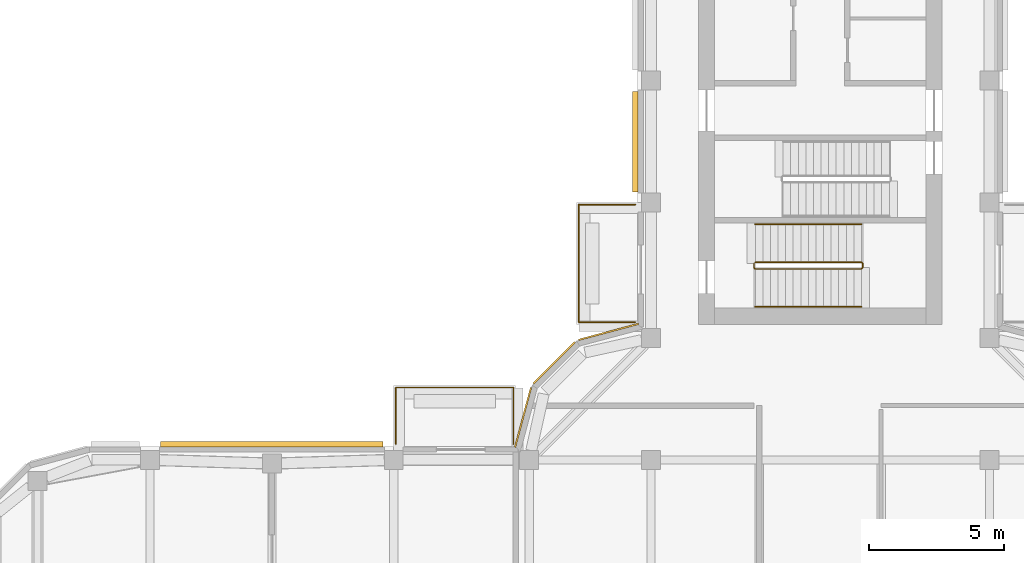
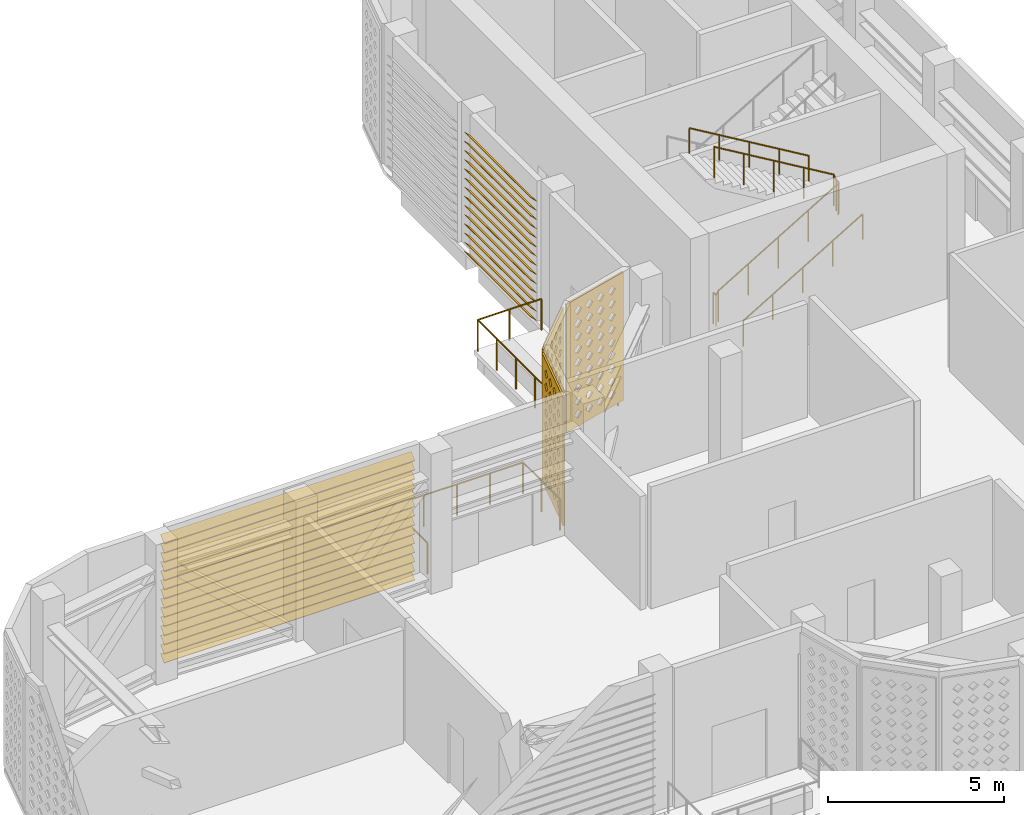
# One storey, part 16 of 20: 5 railings, 3 coverings, 2 shading devices.
"""IFC4 building model written with IfcOpenShell, lengths in metres."""

from ifc_helpers import new_model, si_unit, direction, frame, origin, origin_2d, place, context, subcontext, project, spatial, polyline, circle, outline, extrude, source, transform, mapped, material, layer, layer_set, type_object, element, save


model = new_model("IFC4")

# Units and contexts
model_context = context("Model", 3, precision=1e-05, world=origin(), true_north=direction((0.0, 1.0)))
body_context = subcontext(model_context, "Body", "Model", "MODEL_VIEW")
ifc_project = project(units=[si_unit("LENGTHUNIT", "METRE"), si_unit("AREAUNIT", "SQUARE_METRE"), si_unit("VOLUMEUNIT", "CUBIC_METRE"), si_unit("PLANEANGLEUNIT", "RADIAN"), si_unit("MASSUNIT", "GRAM", prefix="KILO")], contexts=[model_context])

# Site, building, storey
site_placement = place(None, origin())
site = spatial("IfcSite", under=ifc_project, at=site_placement, CompositionType="ELEMENT")
building_placement = place(site_placement, origin())
building = spatial("IfcBuilding", under=site, at=building_placement, Name="Zarbagh Exchange Tower", CompositionType="ELEMENT")
storey_placement = place(building_placement, frame((0.0, 0.0, 244.800048828125)))
storey = spatial("IfcBuildingStorey", under=building, at=storey_placement, Name="L60", CompositionType="ELEMENT", Elevation=244.800048828125)

# Railings
ifc_material_1 = material(Name="Stainless steel", Category="steel")
railing_type_1 = type_object("IfcRailingType", Name="Stair guard 1100 mm", PredefinedType="GUARDRAIL", material=ifc_material_1)
railing_1_placement = place(storey_placement, frame((-2.449951171875, 13.5, 0.0)))
element("IfcRailing", 1, at=railing_1_placement, inside=storey, type_object=railing_type_1, Name="ST2 stair guard 1", PredefinedType="GUARDRAIL", context=body_context, shape_type="SweptSolid", body=[
    extrude(circle(Radius=0.02392578125, at=origin_2d()), frame((0.0, 0.0, 1.076171875), z_axis=(0.0, -1.0, 0.0), x_axis=(1.0, 0.0, 0.0)), (0.0, 0.0, 1.0), 0.14990234375),
    extrude(circle(Radius=0.02392578125, at=origin_2d()), frame((0.0, -0.14990234375, 1.076171875), z_axis=(0.27662974545, -0.27662974545, 0.920299933644), x_axis=(0.707106781187, 0.707106781187, 0.0)), (0.0, 0.0, 1.0), 0.180908203125),
    extrude(circle(Radius=0.02392578125, at=origin_2d()), frame((0.050048828125, -0.199951171875, 1.24267578125), z_axis=(0.859272722373, 0.0, 0.511517730471), x_axis=(0.0, 1.0, 0.0)), (0.0, 0.0, 1.0), 4.56201171875),
    extrude(circle(Radius=0.02392578125, at=origin_2d()), frame((3.969970703125, -0.199951171875, 3.576171875), z_axis=(0.707106781187, 0.707106781187, 0.0), x_axis=(-0.707106781187, 0.707106781187, 0.0)), (0.0, 0.0, 1.0), 0.07080078125),
    extrude(circle(Radius=0.02392578125, at=origin_2d()), frame((4.02001953125, -0.14990234375, 3.576171875), z_axis=(0.0, 1.0, 0.0), x_axis=(-1.0, 0.0, 0.0)), (0.0, 0.0, 1.0), 0.14990234375),
    extrude(circle(Radius=0.02392578125, at=origin_2d()), frame((4.02001953125, 0.0, 3.576171875), z_axis=(-0.27662974545, 0.27662974545, 0.920299933644), x_axis=(-0.707106781187, -0.707106781187, 0.0)), (0.0, 0.0, 1.0), 0.180908203125),
    extrude(circle(Radius=0.02392578125, at=origin_2d()), frame((3.969970703125, 0.050048828125, 3.74267578125), z_axis=(-0.859272722373, 0.0, 0.511517730471), x_axis=(0.0, -1.0, 0.0)), (0.0, 0.0, 1.0), 4.56201171875),
    extrude(circle(Radius=0.02099609375, at=origin_2d()), origin(), (0.0, 0.0, 1.0), 1.052001953125),
    extrude(circle(Radius=0.02099609375, at=origin_2d()), frame((0.0, -0.14990234375, 0.0)), (0.0, 0.0, 1.0), 1.052001953125),
    extrude(circle(Radius=0.02099609375, at=origin_2d()), frame((0.050048828125, -0.199951171875, 0.16650390625)), (0.0, 0.0, 1.0), 1.052001953125),
    extrude(circle(Radius=0.02099609375, at=origin_2d()), frame((1.030029296875, -0.199951171875, 0.75)), (0.0, 0.0, 1.0), 1.052001953125),
    extrude(circle(Radius=0.02099609375, at=origin_2d()), frame((2.010009765625, -0.199951171875, 1.333251953125)), (0.0, 0.0, 1.0), 1.052001953125),
    extrude(circle(Radius=0.02099609375, at=origin_2d()), frame((2.989990234375, -0.199951171875, 1.91650390625)), (0.0, 0.0, 1.0), 1.052001953125),
    extrude(circle(Radius=0.02099609375, at=origin_2d()), frame((3.969970703125, -0.199951171875, 2.5)), (0.0, 0.0, 1.0), 1.052001953125),
    extrude(circle(Radius=0.02099609375, at=origin_2d()), frame((4.02001953125, -0.14990234375, 2.5)), (0.0, 0.0, 1.0), 1.052001953125),
    extrude(circle(Radius=0.02099609375, at=origin_2d()), frame((4.02001953125, 0.0, 2.5)), (0.0, 0.0, 1.0), 1.052001953125),
    extrude(circle(Radius=0.02099609375, at=origin_2d()), frame((3.969970703125, 0.050048828125, 2.66650390625)), (0.0, 0.0, 1.0), 1.052001953125),
    extrude(circle(Radius=0.02099609375, at=origin_2d()), frame((2.989990234375, 0.050048828125, 3.25)), (0.0, 0.0, 1.0), 1.052001953125),
    extrude(circle(Radius=0.02099609375, at=origin_2d()), frame((2.010009765625, 0.050048828125, 3.833251953125)), (0.0, 0.0, 1.0), 1.052001953125),
    extrude(circle(Radius=0.02099609375, at=origin_2d()), frame((1.030029296875, 0.050048828125, 4.41650390625)), (0.0, 0.0, 1.0), 1.052001953125),
    extrude(circle(Radius=0.02099609375, at=origin_2d()), frame((0.050048828125, 0.050048828125, 5.0)), (0.0, 0.0, 1.0), 1.052001953125),
])
railing_type_2 = type_object("IfcRailingType", Name="Stair handrail 900 mm", PredefinedType="HANDRAIL", material=ifc_material_1)
railing_2_placement = place(storey_placement, frame((-2.39990234375, 11.89990234375, 0.16650390625)))
element("IfcRailing", 2, at=railing_2_placement, inside=storey, type_object=railing_type_2, Name="ST2 stair handrail 1", PredefinedType="HANDRAIL", context=body_context, shape_type="SweptSolid", body=[
    extrude(circle(Radius=0.02392578125, at=origin_2d()), frame((0.0, 0.0, 0.8759765625), z_axis=(0.859272722373, 0.0, 0.511517730471), x_axis=(0.0, 1.0, 0.0)), (0.0, 0.0, 1.0), 4.56201171875),
    extrude(circle(Radius=0.02099609375, at=origin_2d()), origin(), (0.0, 0.0, 1.0), 0.851806640625),
    extrude(circle(Radius=0.02099609375, at=origin_2d()), frame((0.97998046875, 0.0, 0.58349609375)), (0.0, 0.0, 1.0), 0.851806640625),
    extrude(circle(Radius=0.02099609375, at=origin_2d()), frame((1.9599609375, 0.0, 1.166748046875)), (0.0, 0.0, 1.0), 0.851806640625),
    extrude(circle(Radius=0.02099609375, at=origin_2d()), frame((2.93994140625, 0.0, 1.75)), (0.0, 0.0, 1.0), 0.851806640625),
    extrude(circle(Radius=0.02099609375, at=origin_2d()), frame((3.919921875, 0.0, 2.33349609375)), (0.0, 0.0, 1.0), 0.851806640625),
])
railing_3_placement = place(storey_placement, frame((1.52001953125, 14.949951171875, 2.66650390625)))
element("IfcRailing", 3, at=railing_3_placement, inside=storey, type_object=railing_type_2, Name="ST2 stair handrail 2", PredefinedType="HANDRAIL", context=body_context, shape_type="SweptSolid", body=[
    extrude(circle(Radius=0.02392578125, at=origin_2d()), frame((0.0, 0.0, 0.8759765625), z_axis=(-0.859272722373, 0.0, 0.511517730471), x_axis=(0.0, -1.0, 0.0)), (0.0, 0.0, 1.0), 4.56201171875),
    extrude(circle(Radius=0.02099609375, at=origin_2d()), origin(), (0.0, 0.0, 1.0), 0.851806640625),
    extrude(circle(Radius=0.02099609375, at=origin_2d()), frame((-0.97998046875, 0.0, 0.58349609375)), (0.0, 0.0, 1.0), 0.851806640625),
    extrude(circle(Radius=0.02099609375, at=origin_2d()), frame((-1.9599609375, 0.0, 1.166748046875)), (0.0, 0.0, 1.0), 0.851806640625),
    extrude(circle(Radius=0.02099609375, at=origin_2d()), frame((-2.93994140625, 0.0, 1.75)), (0.0, 0.0, 1.0), 0.851806640625),
    extrude(circle(Radius=0.02099609375, at=origin_2d()), frame((-3.919921875, 0.0, 2.33349609375)), (0.0, 0.0, 1.0), 0.851806640625),
])
ifc_material_2 = material(Name="Stainless steel and laminated glass", Category="steel")
railing_type_3 = type_object("IfcRailingType", Name="Terrace guard, glass balustrade 1.1 m", PredefinedType="GUARDRAIL", material=ifc_material_2)
railing_4_placement = place(storey_placement, frame((-6.830078125, 11.330078125, 0.0)))
element("IfcRailing", 4, at=railing_4_placement, inside=storey, type_object=railing_type_3, Name="TG01 terrace guard", PredefinedType="GUARDRAIL", context=body_context, shape_type="SweptSolid", body=[
    extrude(circle(Radius=0.02490234375, at=origin_2d()), frame((0.0, 0.0, 1.0751953125), z_axis=(-1.0, 0.0, 0.0), x_axis=(0.0, -1.0, 0.0)), (0.0, 0.0, 1.0), 2.08984375),
    extrude(circle(Radius=0.02490234375, at=origin_2d()), frame((-2.08984375, 0.0, 1.0751953125), z_axis=(0.0, 1.0, 0.0), x_axis=(-1.0, 0.0, 0.0)), (0.0, 0.0, 1.0), 4.33984375),
    extrude(circle(Radius=0.02490234375, at=origin_2d()), frame((-2.08984375, 4.33984375, 1.0751953125), z_axis=(1.0, 0.0, 0.0), x_axis=(0.0, 1.0, 0.0)), (0.0, 0.0, 1.0), 2.08984375),
    extrude(circle(Radius=0.02490234375, at=origin_2d()), origin(), (0.0, 0.0, 1.0), 1.050048828125),
    extrude(circle(Radius=0.02490234375, at=origin_2d()), frame((-1.044921875, 0.0, 0.0)), (0.0, 0.0, 1.0), 1.050048828125),
    extrude(circle(Radius=0.02490234375, at=origin_2d()), frame((-2.08984375, 0.0, 0.0)), (0.0, 0.0, 1.0), 1.050048828125),
    extrude(circle(Radius=0.02490234375, at=origin_2d()), frame((-2.08984375, 1.0849609375, 0.0)), (0.0, 0.0, 1.0), 1.050048828125),
    extrude(circle(Radius=0.02490234375, at=origin_2d()), frame((-2.08984375, 2.169921875, 0.0)), (0.0, 0.0, 1.0), 1.050048828125),
    extrude(circle(Radius=0.02490234375, at=origin_2d()), frame((-2.08984375, 3.2548828125, 0.0)), (0.0, 0.0, 1.0), 1.050048828125),
    extrude(circle(Radius=0.02490234375, at=origin_2d()), frame((-2.08984375, 4.33984375, 0.0)), (0.0, 0.0, 1.0), 1.050048828125),
    extrude(circle(Radius=0.02490234375, at=origin_2d()), frame((-1.044921875, 4.33984375, 0.0)), (0.0, 0.0, 1.0), 1.050048828125),
    extrude(circle(Radius=0.02490234375, at=origin_2d()), frame((0.0, 4.33984375, 0.0)), (0.0, 0.0, 1.0), 1.050048828125),
])
railing_5_placement = place(storey_placement, frame((-15.669921875, 6.830078125, 0.0)))
element("IfcRailing", 5, at=railing_5_placement, inside=storey, type_object=railing_type_3, Name="TG01 terrace guard", PredefinedType="GUARDRAIL", context=body_context, shape_type="SweptSolid", body=[
    extrude(circle(Radius=0.02490234375, at=origin_2d()), frame((0.0, 0.0, 1.0751953125), z_axis=(0.0, 1.0, 0.0), x_axis=(-1.0, 0.0, 0.0)), (0.0, 0.0, 1.0), 2.08984375),
    extrude(circle(Radius=0.02490234375, at=origin_2d()), frame((0.0, 2.08984375, 1.0751953125), z_axis=(1.0, 0.0, 0.0), x_axis=(0.0, 1.0, 0.0)), (0.0, 0.0, 1.0), 4.33984375),
    extrude(circle(Radius=0.02490234375, at=origin_2d()), frame((4.33984375, 2.08984375, 1.0751953125), z_axis=(0.0, -1.0, 0.0), x_axis=(1.0, 0.0, 0.0)), (0.0, 0.0, 1.0), 2.08984375),
    extrude(circle(Radius=0.02490234375, at=origin_2d()), origin(), (0.0, 0.0, 1.0), 1.050048828125),
    extrude(circle(Radius=0.02490234375, at=origin_2d()), frame((0.0, 1.044921875, 0.0)), (0.0, 0.0, 1.0), 1.050048828125),
    extrude(circle(Radius=0.02490234375, at=origin_2d()), frame((0.0, 2.08984375, 0.0)), (0.0, 0.0, 1.0), 1.050048828125),
    extrude(circle(Radius=0.02490234375, at=origin_2d()), frame((1.0849609375, 2.08984375, 0.0)), (0.0, 0.0, 1.0), 1.050048828125),
    extrude(circle(Radius=0.02490234375, at=origin_2d()), frame((2.169921875, 2.08984375, 0.0)), (0.0, 0.0, 1.0), 1.050048828125),
    extrude(circle(Radius=0.02490234375, at=origin_2d()), frame((3.2548828125, 2.08984375, 0.0)), (0.0, 0.0, 1.0), 1.050048828125),
    extrude(circle(Radius=0.02490234375, at=origin_2d()), frame((4.33984375, 2.08984375, 0.0)), (0.0, 0.0, 1.0), 1.050048828125),
    extrude(circle(Radius=0.02490234375, at=origin_2d()), frame((4.33984375, 1.044921875, 0.0)), (0.0, 0.0, 1.0), 1.050048828125),
    extrude(circle(Radius=0.02490234375, at=origin_2d()), frame((4.33984375, 0.0, 0.0)), (0.0, 0.0, 1.0), 1.050048828125),
])

# Covering
ifc_material_3 = material(Name="Glass-fibre reinforced concrete GFRC C50/60", Category="concrete")
ifc_layer = layer(ifc_material_3, 0.06005859375)
ifc_layer_set = layer_set([ifc_layer], Name="SCREEN jali panel, GFRC")
covering_type = type_object("IfcCoveringType", Name="SCREEN jali panel, GFRC", PredefinedType="CLADDING", material=ifc_layer_set)
shared_shape_1 = source(origin(), body_context, "Body", "SweptSolid", [
    extrude(outline(polyline([(0.0, 0.0), (2.1650390625, 0.0), (2.1650390625, 4.449951171875), (0.0, 4.449951171875), (0.0, 0.0)]), holes=[polyline([(0.257568359375, 0.425048828125), (0.407470703125, 0.27490234375), (0.5576171875, 0.425048828125), (0.407470703125, 0.574951171875), (0.257568359375, 0.425048828125)]), polyline([(0.257568359375, 0.875), (0.407470703125, 0.72509765625), (0.5576171875, 0.875), (0.407470703125, 1.02490234375), (0.257568359375, 0.875)]), polyline([(0.257568359375, 1.324951171875), (0.407470703125, 1.175048828125), (0.5576171875, 1.324951171875), (0.407470703125, 1.47509765625), (0.257568359375, 1.324951171875)]), polyline([(0.257568359375, 1.77490234375), (0.407470703125, 1.625), (0.5576171875, 1.77490234375), (0.407470703125, 1.925048828125), (0.257568359375, 1.77490234375)]), polyline([(0.257568359375, 2.22509765625), (0.407470703125, 2.074951171875), (0.5576171875, 2.22509765625), (0.407470703125, 2.375), (0.257568359375, 2.22509765625)]), polyline([(0.257568359375, 2.675048828125), (0.407470703125, 2.52490234375), (0.5576171875, 2.675048828125), (0.407470703125, 2.824951171875), (0.257568359375, 2.675048828125)]), polyline([(0.257568359375, 3.125), (0.407470703125, 2.97509765625), (0.5576171875, 3.125), (0.407470703125, 3.27490234375), (0.257568359375, 3.125)]), polyline([(0.257568359375, 3.574951171875), (0.407470703125, 3.425048828125), (0.5576171875, 3.574951171875), (0.407470703125, 3.72509765625), (0.257568359375, 3.574951171875)]), polyline([(0.257568359375, 4.02490234375), (0.407470703125, 3.875), (0.5576171875, 4.02490234375), (0.407470703125, 4.175048828125), (0.257568359375, 4.02490234375)]), polyline([(0.70751953125, 0.425048828125), (0.857421875, 0.27490234375), (1.007568359375, 0.425048828125), (0.857421875, 0.574951171875), (0.70751953125, 0.425048828125)]), polyline([(0.70751953125, 0.875), (0.857421875, 0.72509765625), (1.007568359375, 0.875), (0.857421875, 1.02490234375), (0.70751953125, 0.875)]), polyline([(0.70751953125, 1.324951171875), (0.857421875, 1.175048828125), (1.007568359375, 1.324951171875), (0.857421875, 1.47509765625), (0.70751953125, 1.324951171875)]), polyline([(0.70751953125, 1.77490234375), (0.857421875, 1.625), (1.007568359375, 1.77490234375), (0.857421875, 1.925048828125), (0.70751953125, 1.77490234375)]), polyline([(0.70751953125, 2.22509765625), (0.857421875, 2.074951171875), (1.007568359375, 2.22509765625), (0.857421875, 2.375), (0.70751953125, 2.22509765625)]), polyline([(0.70751953125, 2.675048828125), (0.857421875, 2.52490234375), (1.007568359375, 2.675048828125), (0.857421875, 2.824951171875), (0.70751953125, 2.675048828125)]), polyline([(0.70751953125, 3.125), (0.857421875, 2.97509765625), (1.007568359375, 3.125), (0.857421875, 3.27490234375), (0.70751953125, 3.125)]), polyline([(0.70751953125, 3.574951171875), (0.857421875, 3.425048828125), (1.007568359375, 3.574951171875), (0.857421875, 3.72509765625), (0.70751953125, 3.574951171875)]), polyline([(0.70751953125, 4.02490234375), (0.857421875, 3.875), (1.007568359375, 4.02490234375), (0.857421875, 4.175048828125), (0.70751953125, 4.02490234375)]), polyline([(1.157470703125, 0.425048828125), (1.3076171875, 0.27490234375), (1.45751953125, 0.425048828125), (1.3076171875, 0.574951171875), (1.157470703125, 0.425048828125)]), polyline([(1.157470703125, 0.875), (1.3076171875, 0.72509765625), (1.45751953125, 0.875), (1.3076171875, 1.02490234375), (1.157470703125, 0.875)]), polyline([(1.157470703125, 1.324951171875), (1.3076171875, 1.175048828125), (1.45751953125, 1.324951171875), (1.3076171875, 1.47509765625), (1.157470703125, 1.324951171875)]), polyline([(1.157470703125, 1.77490234375), (1.3076171875, 1.625), (1.45751953125, 1.77490234375), (1.3076171875, 1.925048828125), (1.157470703125, 1.77490234375)]), polyline([(1.157470703125, 2.22509765625), (1.3076171875, 2.074951171875), (1.45751953125, 2.22509765625), (1.3076171875, 2.375), (1.157470703125, 2.22509765625)]), polyline([(1.157470703125, 2.675048828125), (1.3076171875, 2.52490234375), (1.45751953125, 2.675048828125), (1.3076171875, 2.824951171875), (1.157470703125, 2.675048828125)]), polyline([(1.157470703125, 3.125), (1.3076171875, 2.97509765625), (1.45751953125, 3.125), (1.3076171875, 3.27490234375), (1.157470703125, 3.125)]), polyline([(1.157470703125, 3.574951171875), (1.3076171875, 3.425048828125), (1.45751953125, 3.574951171875), (1.3076171875, 3.72509765625), (1.157470703125, 3.574951171875)]), polyline([(1.157470703125, 4.02490234375), (1.3076171875, 3.875), (1.45751953125, 4.02490234375), (1.3076171875, 4.175048828125), (1.157470703125, 4.02490234375)]), polyline([(1.607421875, 0.425048828125), (1.757568359375, 0.27490234375), (1.907470703125, 0.425048828125), (1.757568359375, 0.574951171875), (1.607421875, 0.425048828125)]), polyline([(1.607421875, 0.875), (1.757568359375, 0.72509765625), (1.907470703125, 0.875), (1.757568359375, 1.02490234375), (1.607421875, 0.875)]), polyline([(1.607421875, 1.324951171875), (1.757568359375, 1.175048828125), (1.907470703125, 1.324951171875), (1.757568359375, 1.47509765625), (1.607421875, 1.324951171875)]), polyline([(1.607421875, 1.77490234375), (1.757568359375, 1.625), (1.907470703125, 1.77490234375), (1.757568359375, 1.925048828125), (1.607421875, 1.77490234375)]), polyline([(1.607421875, 2.22509765625), (1.757568359375, 2.074951171875), (1.907470703125, 2.22509765625), (1.757568359375, 2.375), (1.607421875, 2.22509765625)]), polyline([(1.607421875, 2.675048828125), (1.757568359375, 2.52490234375), (1.907470703125, 2.675048828125), (1.757568359375, 2.824951171875), (1.607421875, 2.675048828125)]), polyline([(1.607421875, 3.125), (1.757568359375, 2.97509765625), (1.907470703125, 3.125), (1.757568359375, 3.27490234375), (1.607421875, 3.125)]), polyline([(1.607421875, 3.574951171875), (1.757568359375, 3.425048828125), (1.907470703125, 3.574951171875), (1.757568359375, 3.72509765625), (1.607421875, 3.574951171875)]), polyline([(1.607421875, 4.02490234375), (1.757568359375, 3.875), (1.907470703125, 4.02490234375), (1.757568359375, 4.175048828125), (1.607421875, 4.02490234375)])]), origin(), (0.0, 0.0, 1.0), 0.06005859375),
])
placement = place(storey_placement, origin())
element("IfcCovering", 6, at=placement, inside=storey, type_object=covering_type, Name="JS25 jali screen", PredefinedType="CLADDING", context=body_context, shape_type="MappedRepresentation", body=[
    mapped(shared_shape_1, transform((-9.0439453125, 10.574951171875, 0.199951171875), x_axis=(-0.707106781187, -0.707106781187, 0.0), y_axis=(0.0, 0.0, 1.0), z_axis=(-0.707106781187, 0.707106781187, 0.0))),
])

# Shading device
ifc_material_4 = material(Name="Anodised aluminium", Category="aluminium")
shading_device_type = type_object("IfcShadingDeviceType", Name="LOUVRE plant louvre, fixed blades", PredefinedType="USERDEFINED", material=ifc_material_4)
shared_shape_2 = source(origin(), body_context, "Body", "SweptSolid", [
    extrude(outline(polyline([(0.0, 0.199951171875), (0.199951171875, 0.0), (0.199951171875, -0.02001953125), (0.0, 0.179931640625), (0.0, 0.199951171875)])), origin(), (0.0, 0.0, 1.0), 3.719970703125),
])
element("IfcShadingDevice", 7, at=placement, inside=storey, type_object=shading_device_type, Name="LV18 plant louvre", ObjectType="LOUVRE", PredefinedType="USERDEFINED", context=body_context, shape_type="MappedRepresentation", body=[
    mapped(shared_shape_2, transform((-6.72998046875, 19.860107421875, 0.199951171875), x_axis=(-1.0, 0.0, 0.0), y_axis=(0.0, 0.0, -1.0), z_axis=(0.0, -1.0, 0.0))),
    mapped(shared_shape_2, transform((-6.72998046875, 19.860107421875, 0.517822265625), x_axis=(-1.0, 0.0, 0.0), y_axis=(0.0, 0.0, -1.0), z_axis=(0.0, -1.0, 0.0))),
    mapped(shared_shape_2, transform((-6.72998046875, 19.860107421875, 0.835693359375), x_axis=(-1.0, 0.0, 0.0), y_axis=(0.0, 0.0, -1.0), z_axis=(0.0, -1.0, 0.0))),
    mapped(shared_shape_2, transform((-6.72998046875, 19.860107421875, 1.153564453125), x_axis=(-1.0, 0.0, 0.0), y_axis=(0.0, 0.0, -1.0), z_axis=(0.0, -1.0, 0.0))),
    mapped(shared_shape_2, transform((-6.72998046875, 19.860107421875, 1.471435546875), x_axis=(-1.0, 0.0, 0.0), y_axis=(0.0, 0.0, -1.0), z_axis=(0.0, -1.0, 0.0))),
    mapped(shared_shape_2, transform((-6.72998046875, 19.860107421875, 1.789306640625), x_axis=(-1.0, 0.0, 0.0), y_axis=(0.0, 0.0, -1.0), z_axis=(0.0, -1.0, 0.0))),
    mapped(shared_shape_2, transform((-6.72998046875, 19.860107421875, 2.107177734375), x_axis=(-1.0, 0.0, 0.0), y_axis=(0.0, 0.0, -1.0), z_axis=(0.0, -1.0, 0.0))),
    mapped(shared_shape_2, transform((-6.72998046875, 19.860107421875, 2.425048828125), x_axis=(-1.0, 0.0, 0.0), y_axis=(0.0, 0.0, -1.0), z_axis=(0.0, -1.0, 0.0))),
    mapped(shared_shape_2, transform((-6.72998046875, 19.860107421875, 2.742919921875), x_axis=(-1.0, 0.0, 0.0), y_axis=(0.0, 0.0, -1.0), z_axis=(0.0, -1.0, 0.0))),
    mapped(shared_shape_2, transform((-6.72998046875, 19.860107421875, 3.060546875), x_axis=(-1.0, 0.0, 0.0), y_axis=(0.0, 0.0, -1.0), z_axis=(0.0, -1.0, 0.0))),
    mapped(shared_shape_2, transform((-6.72998046875, 19.860107421875, 3.37841796875), x_axis=(-1.0, 0.0, 0.0), y_axis=(0.0, 0.0, -1.0), z_axis=(0.0, -1.0, 0.0))),
    mapped(shared_shape_2, transform((-6.72998046875, 19.860107421875, 3.6962890625), x_axis=(-1.0, 0.0, 0.0), y_axis=(0.0, 0.0, -1.0), z_axis=(0.0, -1.0, 0.0))),
    mapped(shared_shape_2, transform((-6.72998046875, 19.860107421875, 4.01416015625), x_axis=(-1.0, 0.0, 0.0), y_axis=(0.0, 0.0, -1.0), z_axis=(0.0, -1.0, 0.0))),
    mapped(shared_shape_2, transform((-6.72998046875, 19.860107421875, 4.33203125), x_axis=(-1.0, 0.0, 0.0), y_axis=(0.0, 0.0, -1.0), z_axis=(0.0, -1.0, 0.0))),
])

# Coverings
shared_shape_3 = source(origin(), body_context, "Body", "SweptSolid", [
    extrude(outline(polyline([(0.0, 0.0), (2.289306640625, 0.0), (2.289306640625, 4.449951171875), (0.0, 4.449951171875), (0.0, 0.0)]), holes=[polyline([(0.319580078125, 0.425048828125), (0.4697265625, 0.27490234375), (0.61962890625, 0.425048828125), (0.4697265625, 0.574951171875), (0.319580078125, 0.425048828125)]), polyline([(0.319580078125, 0.875), (0.4697265625, 0.72509765625), (0.61962890625, 0.875), (0.4697265625, 1.02490234375), (0.319580078125, 0.875)]), polyline([(0.319580078125, 1.324951171875), (0.4697265625, 1.175048828125), (0.61962890625, 1.324951171875), (0.4697265625, 1.47509765625), (0.319580078125, 1.324951171875)]), polyline([(0.319580078125, 1.77490234375), (0.4697265625, 1.625), (0.61962890625, 1.77490234375), (0.4697265625, 1.925048828125), (0.319580078125, 1.77490234375)]), polyline([(0.319580078125, 2.22509765625), (0.4697265625, 2.074951171875), (0.61962890625, 2.22509765625), (0.4697265625, 2.375), (0.319580078125, 2.22509765625)]), polyline([(0.319580078125, 2.675048828125), (0.4697265625, 2.52490234375), (0.61962890625, 2.675048828125), (0.4697265625, 2.824951171875), (0.319580078125, 2.675048828125)]), polyline([(0.319580078125, 3.125), (0.4697265625, 2.97509765625), (0.61962890625, 3.125), (0.4697265625, 3.27490234375), (0.319580078125, 3.125)]), polyline([(0.319580078125, 3.574951171875), (0.4697265625, 3.425048828125), (0.61962890625, 3.574951171875), (0.4697265625, 3.72509765625), (0.319580078125, 3.574951171875)]), polyline([(0.319580078125, 4.02490234375), (0.4697265625, 3.875), (0.61962890625, 4.02490234375), (0.4697265625, 4.175048828125), (0.319580078125, 4.02490234375)]), polyline([(0.76953125, 0.425048828125), (0.919677734375, 0.27490234375), (1.069580078125, 0.425048828125), (0.919677734375, 0.574951171875), (0.76953125, 0.425048828125)]), polyline([(0.76953125, 0.875), (0.919677734375, 0.72509765625), (1.069580078125, 0.875), (0.919677734375, 1.02490234375), (0.76953125, 0.875)]), polyline([(0.76953125, 1.324951171875), (0.919677734375, 1.175048828125), (1.069580078125, 1.324951171875), (0.919677734375, 1.47509765625), (0.76953125, 1.324951171875)]), polyline([(0.76953125, 1.77490234375), (0.919677734375, 1.625), (1.069580078125, 1.77490234375), (0.919677734375, 1.925048828125), (0.76953125, 1.77490234375)]), polyline([(0.76953125, 2.22509765625), (0.919677734375, 2.074951171875), (1.069580078125, 2.22509765625), (0.919677734375, 2.375), (0.76953125, 2.22509765625)]), polyline([(0.76953125, 2.675048828125), (0.919677734375, 2.52490234375), (1.069580078125, 2.675048828125), (0.919677734375, 2.824951171875), (0.76953125, 2.675048828125)]), polyline([(0.76953125, 3.125), (0.919677734375, 2.97509765625), (1.069580078125, 3.125), (0.919677734375, 3.27490234375), (0.76953125, 3.125)]), polyline([(0.76953125, 3.574951171875), (0.919677734375, 3.425048828125), (1.069580078125, 3.574951171875), (0.919677734375, 3.72509765625), (0.76953125, 3.574951171875)]), polyline([(0.76953125, 4.02490234375), (0.919677734375, 3.875), (1.069580078125, 4.02490234375), (0.919677734375, 4.175048828125), (0.76953125, 4.02490234375)]), polyline([(1.2197265625, 0.425048828125), (1.36962890625, 0.27490234375), (1.51953125, 0.425048828125), (1.36962890625, 0.574951171875), (1.2197265625, 0.425048828125)]), polyline([(1.2197265625, 0.875), (1.36962890625, 0.72509765625), (1.51953125, 0.875), (1.36962890625, 1.02490234375), (1.2197265625, 0.875)]), polyline([(1.2197265625, 1.324951171875), (1.36962890625, 1.175048828125), (1.51953125, 1.324951171875), (1.36962890625, 1.47509765625), (1.2197265625, 1.324951171875)]), polyline([(1.2197265625, 1.77490234375), (1.36962890625, 1.625), (1.51953125, 1.77490234375), (1.36962890625, 1.925048828125), (1.2197265625, 1.77490234375)]), polyline([(1.2197265625, 2.22509765625), (1.36962890625, 2.074951171875), (1.51953125, 2.22509765625), (1.36962890625, 2.375), (1.2197265625, 2.22509765625)]), polyline([(1.2197265625, 2.675048828125), (1.36962890625, 2.52490234375), (1.51953125, 2.675048828125), (1.36962890625, 2.824951171875), (1.2197265625, 2.675048828125)]), polyline([(1.2197265625, 3.125), (1.36962890625, 2.97509765625), (1.51953125, 3.125), (1.36962890625, 3.27490234375), (1.2197265625, 3.125)]), polyline([(1.2197265625, 3.574951171875), (1.36962890625, 3.425048828125), (1.51953125, 3.574951171875), (1.36962890625, 3.72509765625), (1.2197265625, 3.574951171875)]), polyline([(1.2197265625, 4.02490234375), (1.36962890625, 3.875), (1.51953125, 4.02490234375), (1.36962890625, 4.175048828125), (1.2197265625, 4.02490234375)]), polyline([(1.669677734375, 0.425048828125), (1.819580078125, 0.27490234375), (1.9697265625, 0.425048828125), (1.819580078125, 0.574951171875), (1.669677734375, 0.425048828125)]), polyline([(1.669677734375, 0.875), (1.819580078125, 0.72509765625), (1.9697265625, 0.875), (1.819580078125, 1.02490234375), (1.669677734375, 0.875)]), polyline([(1.669677734375, 1.324951171875), (1.819580078125, 1.175048828125), (1.9697265625, 1.324951171875), (1.819580078125, 1.47509765625), (1.669677734375, 1.324951171875)]), polyline([(1.669677734375, 1.77490234375), (1.819580078125, 1.625), (1.9697265625, 1.77490234375), (1.819580078125, 1.925048828125), (1.669677734375, 1.77490234375)]), polyline([(1.669677734375, 2.22509765625), (1.819580078125, 2.074951171875), (1.9697265625, 2.22509765625), (1.819580078125, 2.375), (1.669677734375, 2.22509765625)]), polyline([(1.669677734375, 2.675048828125), (1.819580078125, 2.52490234375), (1.9697265625, 2.675048828125), (1.819580078125, 2.824951171875), (1.669677734375, 2.675048828125)]), polyline([(1.669677734375, 3.125), (1.819580078125, 2.97509765625), (1.9697265625, 3.125), (1.819580078125, 3.27490234375), (1.669677734375, 3.125)]), polyline([(1.669677734375, 3.574951171875), (1.819580078125, 3.425048828125), (1.9697265625, 3.574951171875), (1.819580078125, 3.72509765625), (1.669677734375, 3.574951171875)]), polyline([(1.669677734375, 4.02490234375), (1.819580078125, 3.875), (1.9697265625, 4.02490234375), (1.819580078125, 4.175048828125), (1.669677734375, 4.02490234375)])]), origin(), (0.0, 0.0, 1.0), 0.06005859375),
])
element("IfcCovering", 8, at=placement, inside=storey, type_object=covering_type, Name="JS24 jali screen", PredefinedType="CLADDING", context=body_context, shape_type="MappedRepresentation", body=[
    mapped(shared_shape_3, transform((-6.7041015625, 11.241455078125, 0.199951171875), x_axis=(-0.965924215207, -0.258825057666, 0.0), y_axis=(0.0, 0.0, 1.0), z_axis=(-0.258825057666, 0.965924215207, 0.0))),
])
element("IfcCovering", 9, at=placement, inside=storey, type_object=covering_type, Name="JS26 jali screen", PredefinedType="CLADDING", context=body_context, shape_type="MappedRepresentation", body=[
    mapped(shared_shape_3, transform((-10.64892578125, 8.91552734375, 0.199951171875), x_axis=(-0.258825057666, -0.965924215207, 0.0), y_axis=(0.0, 0.0, 1.0), z_axis=(-0.965924215207, 0.258825057666, 0.0))),
])

# Shading device
shared_shape_4 = source(origin(), body_context, "Body", "SweptSolid", [
    extrude(outline(polyline([(0.0, 0.199951171875), (0.199951171875, 0.0), (0.199951171875, -0.02001953125), (0.0, 0.179931640625), (0.0, 0.199951171875)])), origin(), (0.0, 0.0, 1.0), 8.219970703125),
])
element("IfcShadingDevice", 10, at=placement, inside=storey, type_object=shading_device_type, Name="LV14 plant louvre", ObjectType="LOUVRE", PredefinedType="USERDEFINED", context=body_context, shape_type="MappedRepresentation", body=[
    mapped(shared_shape_4, transform((-16.14013671875, 6.72998046875, 0.199951171875), x_axis=(0.0, 1.0, 0.0), y_axis=(0.0, 0.0, -1.0), z_axis=(-1.0, 0.0, 0.0))),
    mapped(shared_shape_4, transform((-16.14013671875, 6.72998046875, 0.517822265625), x_axis=(0.0, 1.0, 0.0), y_axis=(0.0, 0.0, -1.0), z_axis=(-1.0, 0.0, 0.0))),
    mapped(shared_shape_4, transform((-16.14013671875, 6.72998046875, 0.835693359375), x_axis=(0.0, 1.0, 0.0), y_axis=(0.0, 0.0, -1.0), z_axis=(-1.0, 0.0, 0.0))),
    mapped(shared_shape_4, transform((-16.14013671875, 6.72998046875, 1.153564453125), x_axis=(0.0, 1.0, 0.0), y_axis=(0.0, 0.0, -1.0), z_axis=(-1.0, 0.0, 0.0))),
    mapped(shared_shape_4, transform((-16.14013671875, 6.72998046875, 1.471435546875), x_axis=(0.0, 1.0, 0.0), y_axis=(0.0, 0.0, -1.0), z_axis=(-1.0, 0.0, 0.0))),
    mapped(shared_shape_4, transform((-16.14013671875, 6.72998046875, 1.789306640625), x_axis=(0.0, 1.0, 0.0), y_axis=(0.0, 0.0, -1.0), z_axis=(-1.0, 0.0, 0.0))),
    mapped(shared_shape_4, transform((-16.14013671875, 6.72998046875, 2.107177734375), x_axis=(0.0, 1.0, 0.0), y_axis=(0.0, 0.0, -1.0), z_axis=(-1.0, 0.0, 0.0))),
    mapped(shared_shape_4, transform((-16.14013671875, 6.72998046875, 2.425048828125), x_axis=(0.0, 1.0, 0.0), y_axis=(0.0, 0.0, -1.0), z_axis=(-1.0, 0.0, 0.0))),
    mapped(shared_shape_4, transform((-16.14013671875, 6.72998046875, 2.742919921875), x_axis=(0.0, 1.0, 0.0), y_axis=(0.0, 0.0, -1.0), z_axis=(-1.0, 0.0, 0.0))),
    mapped(shared_shape_4, transform((-16.14013671875, 6.72998046875, 3.060546875), x_axis=(0.0, 1.0, 0.0), y_axis=(0.0, 0.0, -1.0), z_axis=(-1.0, 0.0, 0.0))),
    mapped(shared_shape_4, transform((-16.14013671875, 6.72998046875, 3.37841796875), x_axis=(0.0, 1.0, 0.0), y_axis=(0.0, 0.0, -1.0), z_axis=(-1.0, 0.0, 0.0))),
    mapped(shared_shape_4, transform((-16.14013671875, 6.72998046875, 3.6962890625), x_axis=(0.0, 1.0, 0.0), y_axis=(0.0, 0.0, -1.0), z_axis=(-1.0, 0.0, 0.0))),
    mapped(shared_shape_4, transform((-16.14013671875, 6.72998046875, 4.01416015625), x_axis=(0.0, 1.0, 0.0), y_axis=(0.0, 0.0, -1.0), z_axis=(-1.0, 0.0, 0.0))),
    mapped(shared_shape_4, transform((-16.14013671875, 6.72998046875, 4.33203125), x_axis=(0.0, 1.0, 0.0), y_axis=(0.0, 0.0, -1.0), z_axis=(-1.0, 0.0, 0.0))),
])

save(model, "model.ifc")
